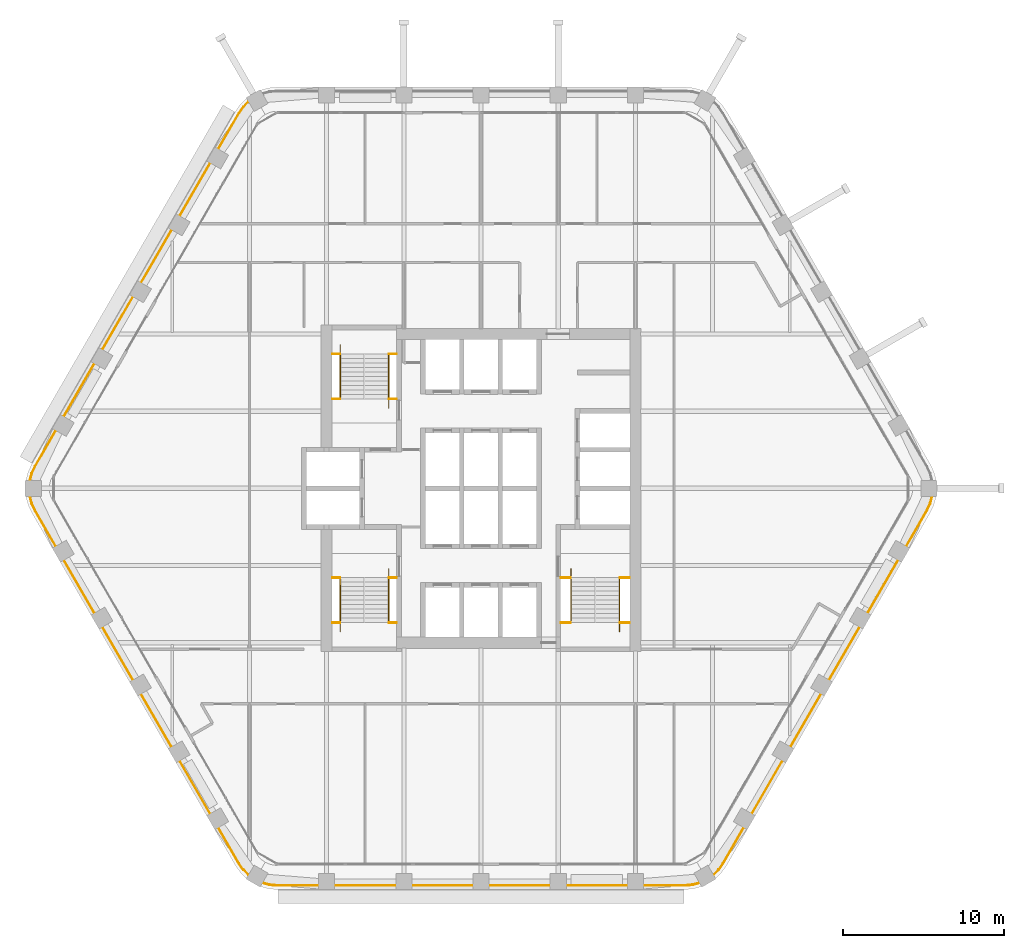
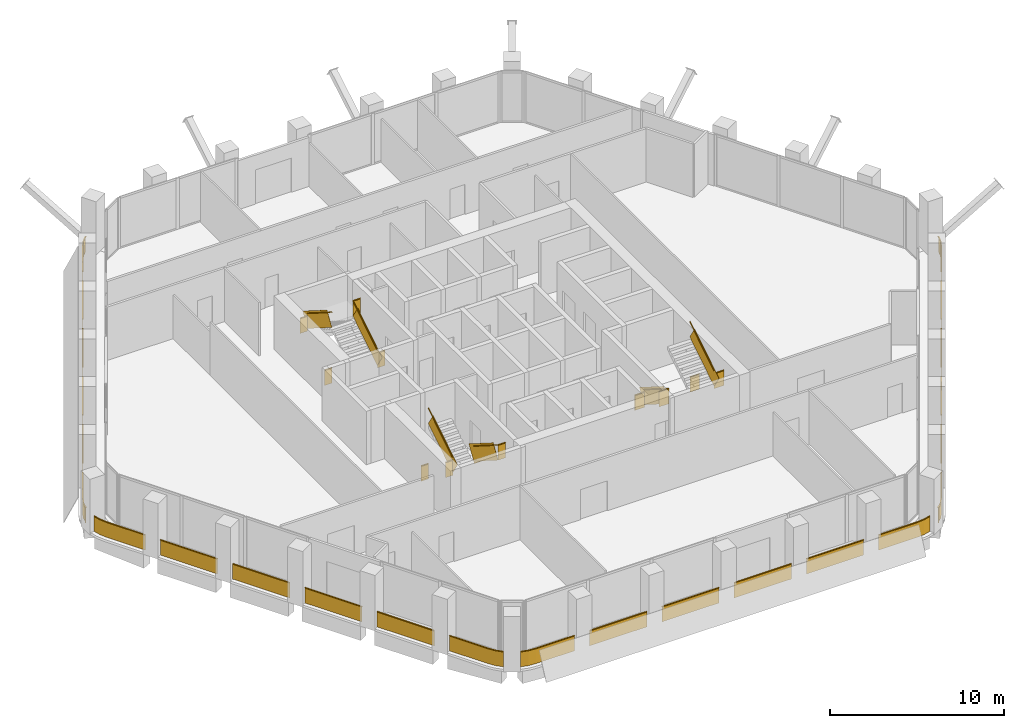
# One storey, part 15 of 16: 10 railings.
"""IFC4 building model written with IfcOpenShell, lengths in metres."""

import ifcopenshell
import ifcopenshell.guid

model = None  # the IFC model being written
_history = None  # IfcOwnerHistory: only IFC2X3 demands one
_inside = {}  # id of a spatial element -> (the spatial element, [elements in it])
_under = {}  # id of a project, library or spatial element -> (it, [spatial elements below it])
_declared = {}  # id of a project -> (the project, [libraries it declares])
_typed = {}  # id of a type object -> (the type object, [elements of that type])
_made_of = {}  # id of a material, layer set ... -> (it, [elements and type objects made of it])


def new_model(schema):
    """Start an empty IFC model of exactly this schema.

    Asked for "IFC4X3", IfcOpenShell would pick the latest addendum, in which some entities
    have other attributes; the version numbers below select the first issue.
    IFC2X3 requires an IfcOwnerHistory on every rooted entity: one is made here for all.
    """
    global model, _history
    if schema == "IFC4X3":
        model = ifcopenshell.file(schema_version=(4, 3, 0, 0))
    else:
        model = ifcopenshell.file(schema=schema)
    _inside.clear()
    _under.clear()
    _declared.clear()
    _typed.clear()
    _made_of.clear()
    _history = None
    if model.schema == "IFC2X3":
        org = make("IfcOrganization", Name="unknown")
        user = make(
            "IfcPersonAndOrganization",
            ThePerson=make("IfcPerson", FamilyName="unknown"),
            TheOrganization=org,
        )
        app = make(
            "IfcApplication",
            ApplicationDeveloper=org,
            Version="unknown",
            ApplicationFullName="unknown",
            ApplicationIdentifier="unknown",
        )
        _history = make(
            "IfcOwnerHistory",
            OwningUser=user,
            OwningApplication=app,
            ChangeAction="ADDED",
            CreationDate=0,
        )
    return model


def make(cls, **values):
    """One entity of the class cls with the attributes given. An attribute that is None is left unset."""
    return model.create_entity(
        cls, **{name: value for name, value in values.items() if value is not None}
    )


def rooted(cls, **values):
    """An entity with a GlobalId (a new one), such as an element, a storey or a relation."""
    return make(cls, GlobalId=ifcopenshell.guid.new(), OwnerHistory=_history, **values)


def si_unit(unit_type, name, prefix=None):
    """IfcSIUnit, for example si_unit("LENGTHUNIT", "METRE", prefix="MILLI")."""
    return make("IfcSIUnit", UnitType=unit_type, Prefix=prefix, Name=name)


def assignment(units):
    """IfcUnitAssignment: the units of a project."""
    return None if units is None else make("IfcUnitAssignment", Units=units)


def point(xyz):
    """IfcCartesianPoint."""
    return None if xyz is None else make("IfcCartesianPoint", Coordinates=xyz)


def direction(xyz):
    """IfcDirection."""
    return None if xyz is None else make("IfcDirection", DirectionRatios=xyz)


def frame(location, z_axis=None, x_axis=None):
    """IfcAxis2Placement3D, a coordinate frame: its origin and axes. An axis left out is left unset."""
    return make(
        "IfcAxis2Placement3D",
        Location=point(location),
        Axis=direction(z_axis),
        RefDirection=direction(x_axis),
    )


def frame_2d(location, x_axis=None):
    """IfcAxis2Placement2D, a coordinate frame in the plane: its origin and x axis."""
    return make(
        "IfcAxis2Placement2D", Location=point(location), RefDirection=direction(x_axis)
    )


def origin():
    """The frame at (0, 0, 0) with its axes left unset."""
    return frame((0.0, 0.0, 0.0))


def origin_2d():
    """The frame at (0, 0) in the plane with its x axis left unset."""
    return frame_2d((0.0, 0.0))


def place(relative_to, where):
    """IfcLocalPlacement: puts the frame where relative to a parent placement (None: the world)."""
    return make(
        "IfcLocalPlacement", PlacementRelTo=relative_to, RelativePlacement=where
    )


def context(
    kind, dimensions, precision=None, world=None, true_north=None, identifier=None
):
    """IfcGeometricRepresentationContext, for example the 3D "Model" context."""
    return make(
        "IfcGeometricRepresentationContext",
        ContextIdentifier=identifier,
        ContextType=kind,
        CoordinateSpaceDimension=dimensions,
        Precision=precision,
        WorldCoordinateSystem=world,
        TrueNorth=true_north,
    )


def subcontext(parent, identifier, kind, view, scale=None):
    """IfcGeometricRepresentationSubContext, for example "Body" below "Model"."""
    return make(
        "IfcGeometricRepresentationSubContext",
        ContextIdentifier=identifier,
        ContextType=kind,
        ParentContext=parent,
        TargetScale=scale,
        TargetView=view,
    )


def project(units=None, contexts=None):
    """IfcProject with its units and contexts."""
    return rooted(
        "IfcProject",
        Name="project",
        RepresentationContexts=contexts,
        UnitsInContext=assignment(units),
    )


def spatial(cls, under=None, at=None, **own):
    """A site, building, storey or space (cls), placed at a placement, below another one or the project."""
    s = rooted(cls, ObjectPlacement=at, **own)
    if under is not None:
        _under.setdefault(under.id(), (under, []))[1].append(s)
    return s


def profile(cls, at=None, kind="AREA", **sizes):
    """A parametric profile (cls). Its sizes go by their IFC names, for example OverallWidth=200.0."""
    return make(cls, ProfileType=kind, Position=at, **sizes)


def rectangle(**sizes):
    """IfcRectangleProfileDef."""
    return profile("IfcRectangleProfileDef", **sizes)


def extrude(swept, where, along, depth):
    """IfcExtrudedAreaSolid: the profile swept, set in the frame where, extruded along a direction by depth."""
    return make(
        "IfcExtrudedAreaSolid",
        SweptArea=swept,
        Position=where,
        ExtrudedDirection=direction(along),
        Depth=depth,
    )


def shape(context_of_items, identifier, shape_type, items):
    """IfcShapeRepresentation: the items that make up one representation, for example the "Body"."""
    return make(
        "IfcShapeRepresentation",
        ContextOfItems=context_of_items,
        RepresentationIdentifier=identifier,
        RepresentationType=shape_type,
        Items=items,
    )


def material(Name=None, Category=None):
    """IfcMaterial."""
    return make("IfcMaterial", Name=Name, Category=Category)


def made_of(thing, what):
    """Note that an element or type object is made of a material, layer set ...; save() writes the relation."""
    if what is not None:
        _made_of.setdefault(what.id(), (what, []))[1].append(thing)
    return thing


def type_object(cls, material=None, **own):
    """A type object (cls), such as IfcWallType, which elements share."""
    return made_of(rooted(cls, **own), material)


def element(
    cls,
    number,
    at=None,
    inside=None,
    cuts=None,
    type_object=None,
    material=None,
    context=None,
    identifier="Body",
    shape_type=None,
    held_by="IfcProductDefinitionShape",
    body=None,
    shapes=None,
    **own,
):
    """One element of the class cls, such as IfcWall. Its Tag is "e" and its number.

    at: its placement. inside: the storey or other place that contains it. cuts: it is an
    opening in that element (IfcRelVoidsElement). A single representation is given by context,
    identifier, shape_type and body (its items); several are given by shapes. held_by: the class
    of the entity that holds the representations. save() writes the other relations.
    """
    e = rooted(cls, Tag="e%d" % number, ObjectPlacement=at, **own)
    if body is not None:
        shapes = [shape(context, identifier, shape_type, body)]
    if shapes is not None:
        e.Representation = make(held_by, Representations=shapes)
    if inside is not None:
        _inside.setdefault(inside.id(), (inside, []))[1].append(e)
    if cuts is not None:
        rooted(
            "IfcRelVoidsElement", RelatingBuildingElement=cuts, RelatedOpeningElement=e
        )
    if type_object is not None:
        _typed.setdefault(type_object.id(), (type_object, []))[1].append(e)
    return made_of(e, material)


def aggregate(whole, parts):
    """IfcRelAggregates: a whole, such as a stair, and the parts it consists of."""
    return rooted("IfcRelAggregates", RelatingObject=whole, RelatedObjects=parts)


def save(model, path):
    """Write the relations noted so far, then the file.

    IfcRelAggregates (storeys below a building ...), IfcRelContainedInSpatialStructure (elements
    in a storey), IfcRelDefinesByType, IfcRelAssociatesMaterial and IfcRelDeclares: one each for
    every whole, place, type object, material and project.
    """
    for whole, parts in _under.values():
        aggregate(whole, parts)
    for where, things in _inside.values():
        rooted(
            "IfcRelContainedInSpatialStructure",
            RelatedElements=things,
            RelatingStructure=where,
        )
    for kind, things in _typed.values():
        rooted("IfcRelDefinesByType", RelatedObjects=things, RelatingType=kind)
    for what, things in _made_of.values():
        rooted("IfcRelAssociatesMaterial", RelatedObjects=things, RelatingMaterial=what)
    for by, libraries in _declared.values():
        rooted("IfcRelDeclares", RelatingContext=by, RelatedDefinitions=libraries)
    model.write(path)


model = new_model("IFC4")

# Units and contexts
model_context = context("Model", 3, precision=1e-05, world=origin(), true_north=direction((0.0, 1.0)))
body_context = subcontext(model_context, "Body", "Model", "MODEL_VIEW")
ifc_project = project(units=[si_unit("LENGTHUNIT", "METRE"), si_unit("AREAUNIT", "SQUARE_METRE"), si_unit("VOLUMEUNIT", "CUBIC_METRE"), si_unit("PLANEANGLEUNIT", "RADIAN"), si_unit("MASSUNIT", "GRAM", prefix="KILO")], contexts=[model_context])

# Site, building, storey
site_placement = place(None, origin())
site = spatial("IfcSite", under=ifc_project, at=site_placement, CompositionType="ELEMENT")
building_placement = place(site_placement, origin())
building = spatial("IfcBuilding", under=site, at=building_placement, Name="Kolab Exchange Tower", CompositionType="ELEMENT")
storey_placement = place(building_placement, frame((0.0, 0.0, 162.199951171875)))
storey = spatial("IfcBuildingStorey", under=building, at=storey_placement, Name="L33", CompositionType="ELEMENT", Elevation=162.199951171875)

# Railings
ifc_material_1 = material(Name="Stainless steel 316", Category="steel")
railing_type_1 = type_object("IfcRailingType", Name="GUARD 1100", PredefinedType="GUARDRAIL", material=ifc_material_1)
railing_1_placement = place(storey_placement, frame((-9.25, 5.550048828125, 0.0)))
element("IfcRailing", 1, at=railing_1_placement, inside=storey, type_object=railing_type_1, Name="Guard ST1", PredefinedType="GUARDRAIL", context=body_context, shape_type="SweptSolid", body=[
    extrude(rectangle(XDim=0.05, YDim=0.05, at=origin_2d()), frame((0.0, 0.0, 1.0751953125), z_axis=(1.0, 0.0, 0.0), x_axis=(0.0, 1.0, 0.0)), (0.0, 0.0, 1.0), 0.489990234375),
    extrude(rectangle(XDim=0.012, YDim=1.05009765625, at=frame_2d((0.0, 0.525146484375))), frame((0.0, 0.0, 0.0), z_axis=(1.0, 0.0, 0.0), x_axis=(0.0, 1.0, 0.0)), (0.0, 0.0, 1.0), 0.489990234375),
    extrude(rectangle(XDim=0.05, YDim=0.05, at=origin_2d()), frame((3.510009765625, 0.0, 1.0751953125), z_axis=(1.0, 0.0, 0.0), x_axis=(0.0, 1.0, 0.0)), (0.0, 0.0, 1.0), 0.489990234375),
    extrude(rectangle(XDim=0.012, YDim=1.05009765625, at=frame_2d((0.0, 0.525146484375))), frame((3.510009765625, 0.0, 0.0), z_axis=(1.0, 0.0, 0.0), x_axis=(0.0, 1.0, 0.0)), (0.0, 0.0, 1.0), 0.489990234375),
    extrude(rectangle(XDim=0.05, YDim=0.05, at=origin_2d()), frame((0.0, 2.800048828125, 3.025146484375), z_axis=(1.0, 0.0, 0.0), x_axis=(0.0, 1.0, 0.0)), (0.0, 0.0, 1.0), 0.489990234375),
    extrude(rectangle(XDim=0.012, YDim=1.05009765625, at=frame_2d((0.0, 0.525146484375))), frame((0.0, 2.800048828125, 1.949951171875), z_axis=(1.0, 0.0, 0.0), x_axis=(0.0, 1.0, 0.0)), (0.0, 0.0, 1.0), 0.489990234375),
    extrude(rectangle(XDim=0.05, YDim=0.05, at=origin_2d()), frame((3.510009765625, 2.800048828125, 3.025146484375), z_axis=(1.0, 0.0, 0.0), x_axis=(0.0, 1.0, 0.0)), (0.0, 0.0, 1.0), 0.489990234375),
    extrude(rectangle(XDim=0.012, YDim=1.05009765625, at=frame_2d((0.0, 0.525146484375))), frame((3.510009765625, 2.800048828125, 1.949951171875), z_axis=(1.0, 0.0, 0.0), x_axis=(0.0, 1.0, 0.0)), (0.0, 0.0, 1.0), 0.489990234375),
])
railing_2_placement = place(storey_placement, frame((-5.739990234375, 5.550048828125, 0.17724609375)))
element("IfcRailing", 2, at=railing_2_placement, inside=storey, type_object=railing_type_1, Name="Handrail guard ST1", PredefinedType="GUARDRAIL", context=body_context, shape_type="SweptSolid", body=[
    extrude(rectangle(XDim=0.05, YDim=0.05, at=origin_2d()), frame((0.0, 0.0, 1.0751953125), z_axis=(0.0, 0.844908973607, 0.534910110503), x_axis=(-1.0, 0.0, 0.0)), (0.0, 0.0, 1.0), 3.31396484375),
    extrude(rectangle(XDim=0.012, YDim=1.05009765625, at=frame_2d((0.0, 0.525146484375))), frame((0.0, 0.0, 0.0), z_axis=(0.0, 0.844908973607, 0.534910110503), x_axis=(-1.0, 0.0, 0.0)), (0.0, 0.0, 1.0), 3.31396484375),
    extrude(rectangle(XDim=0.05, YDim=0.05, at=origin_2d()), frame((-3.02001953125, 2.800048828125, 3.025390625), z_axis=(0.0, -0.844908973607, 0.534910110503), x_axis=(1.0, 0.0, 0.0)), (0.0, 0.0, 1.0), 3.31396484375),
    extrude(rectangle(XDim=0.012, YDim=1.05009765625, at=frame_2d((0.0, 0.525146484375))), frame((-3.02001953125, 2.800048828125, 1.9501953125), z_axis=(0.0, -0.844908973607, 0.534910110503), x_axis=(1.0, 0.0, 0.0)), (0.0, 0.0, 1.0), 3.31396484375),
])
railing_3_placement = place(storey_placement, frame((-9.25, -5.550048828125, 0.0)))
element("IfcRailing", 3, at=railing_3_placement, inside=storey, type_object=railing_type_1, Name="Guard ST3", PredefinedType="GUARDRAIL", context=body_context, shape_type="SweptSolid", body=[
    extrude(rectangle(XDim=0.05, YDim=0.05, at=origin_2d()), frame((0.0, 0.0, 1.0751953125), z_axis=(1.0, 0.0, 0.0), x_axis=(0.0, 1.0, 0.0)), (0.0, 0.0, 1.0), 0.489990234375),
    extrude(rectangle(XDim=0.012, YDim=1.05009765625, at=frame_2d((0.0, 0.525146484375))), frame((0.0, 0.0, 0.0), z_axis=(1.0, 0.0, 0.0), x_axis=(0.0, 1.0, 0.0)), (0.0, 0.0, 1.0), 0.489990234375),
    extrude(rectangle(XDim=0.05, YDim=0.05, at=origin_2d()), frame((3.510009765625, 0.0, 1.0751953125), z_axis=(1.0, 0.0, 0.0), x_axis=(0.0, 1.0, 0.0)), (0.0, 0.0, 1.0), 0.489990234375),
    extrude(rectangle(XDim=0.012, YDim=1.05009765625, at=frame_2d((0.0, 0.525146484375))), frame((3.510009765625, 0.0, 0.0), z_axis=(1.0, 0.0, 0.0), x_axis=(0.0, 1.0, 0.0)), (0.0, 0.0, 1.0), 0.489990234375),
    extrude(rectangle(XDim=0.05, YDim=0.05, at=origin_2d()), frame((0.0, -2.800048828125, 3.025146484375), z_axis=(1.0, 0.0, 0.0), x_axis=(0.0, 1.0, 0.0)), (0.0, 0.0, 1.0), 0.489990234375),
    extrude(rectangle(XDim=0.012, YDim=1.05009765625, at=frame_2d((0.0, 0.525146484375))), frame((0.0, -2.800048828125, 1.949951171875), z_axis=(1.0, 0.0, 0.0), x_axis=(0.0, 1.0, 0.0)), (0.0, 0.0, 1.0), 0.489990234375),
    extrude(rectangle(XDim=0.05, YDim=0.05, at=origin_2d()), frame((3.510009765625, -2.800048828125, 3.025146484375), z_axis=(1.0, 0.0, 0.0), x_axis=(0.0, 1.0, 0.0)), (0.0, 0.0, 1.0), 0.489990234375),
    extrude(rectangle(XDim=0.012, YDim=1.05009765625, at=frame_2d((0.0, 0.525146484375))), frame((3.510009765625, -2.800048828125, 1.949951171875), z_axis=(1.0, 0.0, 0.0), x_axis=(0.0, 1.0, 0.0)), (0.0, 0.0, 1.0), 0.489990234375),
])
railing_4_placement = place(storey_placement, frame((-5.739990234375, -5.550048828125, 0.17724609375)))
element("IfcRailing", 4, at=railing_4_placement, inside=storey, type_object=railing_type_1, Name="Handrail guard ST3", PredefinedType="GUARDRAIL", context=body_context, shape_type="SweptSolid", body=[
    extrude(rectangle(XDim=0.05, YDim=0.05, at=origin_2d()), frame((0.0, 0.0, 1.0751953125), z_axis=(0.0, -0.844908973607, 0.534910110503), x_axis=(1.0, 0.0, 0.0)), (0.0, 0.0, 1.0), 3.31396484375),
    extrude(rectangle(XDim=0.012, YDim=1.05009765625, at=frame_2d((0.0, 0.525146484375))), frame((0.0, 0.0, 0.0), z_axis=(0.0, -0.844908973607, 0.534910110503), x_axis=(1.0, 0.0, 0.0)), (0.0, 0.0, 1.0), 3.31396484375),
    extrude(rectangle(XDim=0.05, YDim=0.05, at=origin_2d()), frame((-3.02001953125, -2.800048828125, 3.025390625), z_axis=(0.0, 0.844908973607, 0.534910110503), x_axis=(-1.0, 0.0, 0.0)), (0.0, 0.0, 1.0), 3.31396484375),
    extrude(rectangle(XDim=0.012, YDim=1.05009765625, at=frame_2d((0.0, 0.525146484375))), frame((-3.02001953125, -2.800048828125, 1.9501953125), z_axis=(0.0, 0.844908973607, 0.534910110503), x_axis=(-1.0, 0.0, 0.0)), (0.0, 0.0, 1.0), 3.31396484375),
])
railing_5_placement = place(storey_placement, frame((4.949951171875, -5.550048828125, 0.0)))
element("IfcRailing", 5, at=railing_5_placement, inside=storey, type_object=railing_type_1, Name="Guard ST2", PredefinedType="GUARDRAIL", context=body_context, shape_type="SweptSolid", body=[
    extrude(rectangle(XDim=0.05, YDim=0.05, at=origin_2d()), frame((0.0, 0.0, 1.0751953125), z_axis=(1.0, 0.0, 0.0), x_axis=(0.0, 1.0, 0.0)), (0.0, 0.0, 1.0), 0.64013671875),
    extrude(rectangle(XDim=0.012, YDim=1.05009765625, at=frame_2d((0.0, 0.525146484375))), frame((0.0, 0.0, 0.0), z_axis=(1.0, 0.0, 0.0), x_axis=(0.0, 1.0, 0.0)), (0.0, 0.0, 1.0), 0.64013671875),
    extrude(rectangle(XDim=0.05, YDim=0.05, at=origin_2d()), frame((3.66015625, 0.0, 1.0751953125), z_axis=(1.0, 0.0, 0.0), x_axis=(0.0, 1.0, 0.0)), (0.0, 0.0, 1.0), 0.639892578125),
    extrude(rectangle(XDim=0.012, YDim=1.05009765625, at=frame_2d((0.0, 0.525146484375))), frame((3.66015625, 0.0, 0.0), z_axis=(1.0, 0.0, 0.0), x_axis=(0.0, 1.0, 0.0)), (0.0, 0.0, 1.0), 0.639892578125),
    extrude(rectangle(XDim=0.05, YDim=0.05, at=origin_2d()), frame((0.0, -2.800048828125, 3.025146484375), z_axis=(1.0, 0.0, 0.0), x_axis=(0.0, 1.0, 0.0)), (0.0, 0.0, 1.0), 0.64013671875),
    extrude(rectangle(XDim=0.012, YDim=1.05009765625, at=frame_2d((0.0, 0.525146484375))), frame((0.0, -2.800048828125, 1.949951171875), z_axis=(1.0, 0.0, 0.0), x_axis=(0.0, 1.0, 0.0)), (0.0, 0.0, 1.0), 0.64013671875),
    extrude(rectangle(XDim=0.05, YDim=0.05, at=origin_2d()), frame((3.66015625, -2.800048828125, 3.025146484375), z_axis=(1.0, 0.0, 0.0), x_axis=(0.0, 1.0, 0.0)), (0.0, 0.0, 1.0), 0.639892578125),
    extrude(rectangle(XDim=0.012, YDim=1.05009765625, at=frame_2d((0.0, 0.525146484375))), frame((3.66015625, -2.800048828125, 1.949951171875), z_axis=(1.0, 0.0, 0.0), x_axis=(0.0, 1.0, 0.0)), (0.0, 0.0, 1.0), 0.639892578125),
])
railing_6_placement = place(storey_placement, frame((5.590087890625, -5.550048828125, 0.17724609375)))
element("IfcRailing", 6, at=railing_6_placement, inside=storey, type_object=railing_type_1, Name="Handrail guard ST2", PredefinedType="GUARDRAIL", context=body_context, shape_type="SweptSolid", body=[
    extrude(rectangle(XDim=0.05, YDim=0.05, at=origin_2d()), frame((0.0, 0.0, 1.0751953125), z_axis=(0.0, -0.844908973607, 0.534910110503), x_axis=(1.0, 0.0, 0.0)), (0.0, 0.0, 1.0), 3.31396484375),
    extrude(rectangle(XDim=0.012, YDim=1.05009765625, at=frame_2d((0.0, 0.525146484375))), frame((0.0, 0.0, 0.0), z_axis=(0.0, -0.844908973607, 0.534910110503), x_axis=(1.0, 0.0, 0.0)), (0.0, 0.0, 1.0), 3.31396484375),
    extrude(rectangle(XDim=0.05, YDim=0.05, at=origin_2d()), frame((3.02001953125, -2.800048828125, 3.025390625), z_axis=(0.0, 0.844908973607, 0.534910110503), x_axis=(-1.0, 0.0, 0.0)), (0.0, 0.0, 1.0), 3.31396484375),
    extrude(rectangle(XDim=0.012, YDim=1.05009765625, at=frame_2d((0.0, 0.525146484375))), frame((3.02001953125, -2.800048828125, 1.9501953125), z_axis=(0.0, 0.844908973607, 0.534910110503), x_axis=(-1.0, 0.0, 0.0)), (0.0, 0.0, 1.0), 3.31396484375),
])
ifc_material_2 = material(Name="Steel S235", Category="steel")
railing_type_2 = type_object("IfcRailingType", Name="GUARD 1100 GLASS BALUSTRADE AND STEEL TOP RAIL", PredefinedType="GUARDRAIL", material=ifc_material_2)
railing_7_placement = place(storey_placement, frame((14.4501953125, -24.033447265625, 0.0)))
element("IfcRailing", 7, at=railing_7_placement, inside=storey, type_object=railing_type_2, Name="Guard", PredefinedType="GUARDRAIL", context=body_context, shape_type="SweptSolid", body=[
    extrude(rectangle(XDim=0.05, YDim=0.05, at=origin_2d()), frame((0.0, 0.0, 1.0751953125), z_axis=(0.70737286085, 0.706840601361, 0.0), x_axis=(-0.706840601361, 0.70737286085, 0.0)), (0.0, 0.0, 1.0), 0.458740234375),
    extrude(rectangle(XDim=0.012, YDim=1.05009765625, at=frame_2d((0.0, 0.525146484375))), frame((0.0, 0.0, 0.0), z_axis=(0.70737286085, 0.706840601361, 0.0), x_axis=(-0.706840601361, 0.70737286085, 0.0)), (0.0, 0.0, 1.0), 0.458740234375),
    extrude(rectangle(XDim=0.05, YDim=0.05, at=origin_2d()), frame((0.324462890625, 0.32421875, 1.0751953125), z_axis=(0.573599091554, 0.819136180478, 0.0), x_axis=(-0.819136180478, 0.573599091554, 0.0)), (0.0, 0.0, 1.0), 0.479248046875),
    extrude(rectangle(XDim=0.012, YDim=1.05009765625, at=frame_2d((0.0, 0.525146484375))), frame((0.324462890625, 0.32421875, 0.0), z_axis=(0.573599091554, 0.819136180478, 0.0), x_axis=(-0.819136180478, 0.573599091554, 0.0)), (0.0, 0.0, 1.0), 0.479248046875),
    extrude(rectangle(XDim=0.05, YDim=0.05, at=origin_2d()), frame((0.599365234375, 0.716796875, 1.0751953125), z_axis=(0.499952873616, 0.866052610505, 0.0), x_axis=(-0.866052610505, 0.499952873616, 0.0)), (0.0, 0.0, 1.0), 2.568115234375),
    extrude(rectangle(XDim=0.012, YDim=1.05009765625, at=frame_2d((0.0, 0.525146484375))), frame((0.599365234375, 0.716796875, 0.0), z_axis=(0.499952873616, 0.866052610505, 0.0), x_axis=(-0.866052610505, 0.499952873616, 0.0)), (0.0, 0.0, 1.0), 2.568115234375),
    extrude(rectangle(XDim=0.05, YDim=0.05, at=origin_2d()), frame((2.38330078125, 3.806884765625, 1.0751953125), z_axis=(0.499994975061, 0.866028304915, 0.0), x_axis=(-0.866028304915, 0.499994975061, 0.0)), (0.0, 0.0, 1.0), 3.7998046875),
    extrude(rectangle(XDim=0.012, YDim=1.05009765625, at=frame_2d((0.0, 0.525146484375))), frame((2.38330078125, 3.806884765625, 0.0), z_axis=(0.499994975061, 0.866028304915, 0.0), x_axis=(-0.866028304915, 0.499994975061, 0.0)), (0.0, 0.0, 1.0), 3.7998046875),
    extrude(rectangle(XDim=0.05, YDim=0.05, at=origin_2d()), frame((4.783203125, 7.9638671875, 1.0751953125), z_axis=(0.500043160704, 0.866000483506, 0.0), x_axis=(-0.866000483506, 0.500043160704, 0.0)), (0.0, 0.0, 1.0), 3.800048828125),
    extrude(rectangle(XDim=0.012, YDim=1.05009765625, at=frame_2d((0.0, 0.525146484375))), frame((4.783203125, 7.9638671875, 0.0), z_axis=(0.500043160704, 0.866000483506, 0.0), x_axis=(-0.866000483506, 0.500043160704, 0.0)), (0.0, 0.0, 1.0), 3.800048828125),
    extrude(rectangle(XDim=0.05, YDim=0.05, at=origin_2d()), frame((7.183349609375, 12.12060546875, 1.0751953125), z_axis=(0.499967155389, 0.866044365799, 0.0), x_axis=(-0.866044365799, 0.499967155389, 0.0)), (0.0, 0.0, 1.0), 3.800048828125),
    extrude(rectangle(XDim=0.012, YDim=1.05009765625, at=frame_2d((0.0, 0.525146484375))), frame((7.183349609375, 12.12060546875, 0.0), z_axis=(0.499967155389, 0.866044365799, 0.0), x_axis=(-0.866044365799, 0.499967155389, 0.0)), (0.0, 0.0, 1.0), 3.800048828125),
    extrude(rectangle(XDim=0.05, YDim=0.05, at=origin_2d()), frame((9.583251953125, 16.277587890625, 1.0751953125), z_axis=(0.500015340139, 0.86601654697, 0.0), x_axis=(-0.86601654697, 0.500015340139, 0.0)), (0.0, 0.0, 1.0), 3.80029296875),
    extrude(rectangle(XDim=0.012, YDim=1.05009765625, at=frame_2d((0.0, 0.525146484375))), frame((9.583251953125, 16.277587890625, 0.0), z_axis=(0.500015340139, 0.86601654697, 0.0), x_axis=(-0.86601654697, 0.500015340139, 0.0)), (0.0, 0.0, 1.0), 3.80029296875),
    extrude(rectangle(XDim=0.05, YDim=0.05, at=origin_2d()), frame((11.9833984375, 20.4345703125, 1.0751953125), z_axis=(0.499994038704, 0.866028845513, 0.0), x_axis=(-0.866028845513, 0.499994038704, 0.0)), (0.0, 0.0, 1.0), 2.56787109375),
    extrude(rectangle(XDim=0.012, YDim=1.05009765625, at=frame_2d((0.0, 0.525146484375))), frame((11.9833984375, 20.4345703125, 0.0), z_axis=(0.499994038704, 0.866028845513, 0.0), x_axis=(-0.866028845513, 0.499994038704, 0.0)), (0.0, 0.0, 1.0), 2.56787109375),
    extrude(rectangle(XDim=0.05, YDim=0.05, at=origin_2d()), frame((13.267333984375, 22.658447265625, 1.0751953125), z_axis=(0.422801802984, 0.906222177721, 0.0), x_axis=(-0.906222177721, 0.422801802984, 0.0)), (0.0, 0.0, 1.0), 0.479248046875),
    extrude(rectangle(XDim=0.012, YDim=1.05009765625, at=frame_2d((0.0, 0.525146484375))), frame((13.267333984375, 22.658447265625, 0.0), z_axis=(0.422801802984, 0.906222177721, 0.0), x_axis=(-0.906222177721, 0.422801802984, 0.0)), (0.0, 0.0, 1.0), 0.479248046875),
    extrude(rectangle(XDim=0.05, YDim=0.05, at=origin_2d()), frame((13.469970703125, 23.0927734375, 1.0751953125), z_axis=(0.25865627591, 0.965969425465, 0.0), x_axis=(-0.965969425465, 0.25865627591, 0.0)), (0.0, 0.0, 1.0), 0.458740234375),
    extrude(rectangle(XDim=0.012, YDim=1.05009765625, at=frame_2d((0.0, 0.525146484375))), frame((13.469970703125, 23.0927734375, 0.0), z_axis=(0.25865627591, 0.965969425465, 0.0), x_axis=(-0.965969425465, 0.25865627591, 0.0)), (0.0, 0.0, 1.0), 0.458740234375),
])
railing_8_placement = place(storey_placement, frame((-13.588623046875, -24.531005859375, 0.0)))
element("IfcRailing", 8, at=railing_8_placement, inside=storey, type_object=railing_type_2, Name="Guard", PredefinedType="GUARDRAIL", context=body_context, shape_type="SweptSolid", body=[
    extrude(rectangle(XDim=0.05, YDim=0.05, at=origin_2d()), frame((0.0, 0.0, 1.0751953125), z_axis=(0.965969425465, -0.25865627591, 0.0), x_axis=(0.25865627591, 0.965969425465, 0.0)), (0.0, 0.0, 1.0), 0.458740234375),
    extrude(rectangle(XDim=0.012, YDim=1.05009765625, at=frame_2d((0.0, 0.525146484375))), frame((0.0, 0.0, 0.0), z_axis=(0.965969425465, -0.25865627591, 0.0), x_axis=(0.25865627591, 0.965969425465, 0.0)), (0.0, 0.0, 1.0), 0.458740234375),
    extrude(rectangle(XDim=0.05, YDim=0.05, at=origin_2d()), frame((0.443115234375, -0.11865234375, 1.0751953125), z_axis=(0.996156034798, -0.087596542937, 0.0), x_axis=(0.087596542937, 0.996156034798, 0.0)), (0.0, 0.0, 1.0), 0.4794921875),
    extrude(rectangle(XDim=0.012, YDim=1.05009765625, at=frame_2d((0.0, 0.525146484375))), frame((0.443115234375, -0.11865234375, 0.0), z_axis=(0.996156034798, -0.087596542937, 0.0), x_axis=(0.087596542937, 0.996156034798, 0.0)), (0.0, 0.0, 1.0), 0.4794921875),
    extrude(rectangle(XDim=0.05, YDim=0.05, at=origin_2d()), frame((0.920654296875, -0.16064453125, 1.0751953125), z_axis=(1.0, 0.0, 0.0), x_axis=(0.0, 1.0, 0.0)), (0.0, 0.0, 1.0), 2.56787109375),
    extrude(rectangle(XDim=0.012, YDim=1.05009765625, at=frame_2d((0.0, 0.525146484375))), frame((0.920654296875, -0.16064453125, 0.0), z_axis=(1.0, 0.0, 0.0), x_axis=(0.0, 1.0, 0.0)), (0.0, 0.0, 1.0), 2.56787109375),
    extrude(rectangle(XDim=0.05, YDim=0.05, at=origin_2d()), frame((4.488525390625, -0.16064453125, 1.0751953125), z_axis=(1.0, 0.0, 0.0), x_axis=(0.0, 1.0, 0.0)), (0.0, 0.0, 1.0), 3.800048828125),
    extrude(rectangle(XDim=0.012, YDim=1.05009765625, at=frame_2d((0.0, 0.525146484375))), frame((4.488525390625, -0.16064453125, 0.0), z_axis=(1.0, 0.0, 0.0), x_axis=(0.0, 1.0, 0.0)), (0.0, 0.0, 1.0), 3.800048828125),
    extrude(rectangle(XDim=0.05, YDim=0.05, at=origin_2d()), frame((9.28857421875, -0.16064453125, 1.0751953125), z_axis=(1.0, 0.0, 0.0), x_axis=(0.0, 1.0, 0.0)), (0.0, 0.0, 1.0), 3.800048828125),
    extrude(rectangle(XDim=0.012, YDim=1.05009765625, at=frame_2d((0.0, 0.525146484375))), frame((9.28857421875, -0.16064453125, 0.0), z_axis=(1.0, 0.0, 0.0), x_axis=(0.0, 1.0, 0.0)), (0.0, 0.0, 1.0), 3.800048828125),
    extrude(rectangle(XDim=0.05, YDim=0.05, at=origin_2d()), frame((14.088623046875, -0.16064453125, 1.0751953125), z_axis=(1.0, 0.0, 0.0), x_axis=(0.0, 1.0, 0.0)), (0.0, 0.0, 1.0), 3.800048828125),
    extrude(rectangle(XDim=0.012, YDim=1.05009765625, at=frame_2d((0.0, 0.525146484375))), frame((14.088623046875, -0.16064453125, 0.0), z_axis=(1.0, 0.0, 0.0), x_axis=(0.0, 1.0, 0.0)), (0.0, 0.0, 1.0), 3.800048828125),
    extrude(rectangle(XDim=0.05, YDim=0.05, at=origin_2d()), frame((18.888671875, -0.16064453125, 1.0751953125), z_axis=(1.0, 0.0, 0.0), x_axis=(0.0, 1.0, 0.0)), (0.0, 0.0, 1.0), 3.800048828125),
    extrude(rectangle(XDim=0.012, YDim=1.05009765625, at=frame_2d((0.0, 0.525146484375))), frame((18.888671875, -0.16064453125, 0.0), z_axis=(1.0, 0.0, 0.0), x_axis=(0.0, 1.0, 0.0)), (0.0, 0.0, 1.0), 3.800048828125),
    extrude(rectangle(XDim=0.05, YDim=0.05, at=origin_2d()), frame((23.688720703125, -0.16064453125, 1.0751953125), z_axis=(1.0, 0.0, 0.0), x_axis=(0.0, 1.0, 0.0)), (0.0, 0.0, 1.0), 2.56787109375),
    extrude(rectangle(XDim=0.012, YDim=1.05009765625, at=frame_2d((0.0, 0.525146484375))), frame((23.688720703125, -0.16064453125, 0.0), z_axis=(1.0, 0.0, 0.0), x_axis=(0.0, 1.0, 0.0)), (0.0, 0.0, 1.0), 2.56787109375),
    extrude(rectangle(XDim=0.05, YDim=0.05, at=origin_2d()), frame((26.256591796875, -0.16064453125, 1.0751953125), z_axis=(0.996156034798, 0.087596542937, 0.0), x_axis=(-0.087596542937, 0.996156034798, 0.0)), (0.0, 0.0, 1.0), 0.4794921875),
    extrude(rectangle(XDim=0.012, YDim=1.05009765625, at=frame_2d((0.0, 0.525146484375))), frame((26.256591796875, -0.16064453125, 0.0), z_axis=(0.996156034798, 0.087596542937, 0.0), x_axis=(-0.087596542937, 0.996156034798, 0.0)), (0.0, 0.0, 1.0), 0.4794921875),
    extrude(rectangle(XDim=0.05, YDim=0.05, at=origin_2d()), frame((26.734130859375, -0.11865234375, 1.0751953125), z_axis=(0.965969425465, 0.25865627591, 0.0), x_axis=(-0.25865627591, 0.965969425465, 0.0)), (0.0, 0.0, 1.0), 0.458740234375),
    extrude(rectangle(XDim=0.012, YDim=1.05009765625, at=frame_2d((0.0, 0.525146484375))), frame((26.734130859375, -0.11865234375, 0.0), z_axis=(0.965969425465, 0.25865627591, 0.0), x_axis=(-0.25865627591, 0.965969425465, 0.0)), (0.0, 0.0, 1.0), 0.458740234375),
])
railing_9_placement = place(storey_placement, frame((-28.038818359375, -0.49755859375, 0.0)))
element("IfcRailing", 9, at=railing_9_placement, inside=storey, type_object=railing_type_2, Name="Guard", PredefinedType="GUARDRAIL", context=body_context, shape_type="SweptSolid", body=[
    extrude(rectangle(XDim=0.05, YDim=0.05, at=origin_2d()), frame((0.0, 0.0, 1.0751953125), z_axis=(0.25865627591, -0.965969425465, 0.0), x_axis=(0.965969425465, 0.25865627591, 0.0)), (0.0, 0.0, 1.0), 0.458740234375),
    extrude(rectangle(XDim=0.012, YDim=1.05009765625, at=frame_2d((0.0, 0.525146484375))), frame((0.0, 0.0, 0.0), z_axis=(0.25865627591, -0.965969425465, 0.0), x_axis=(0.965969425465, 0.25865627591, 0.0)), (0.0, 0.0, 1.0), 0.458740234375),
    extrude(rectangle(XDim=0.05, YDim=0.05, at=origin_2d()), frame((0.11865234375, -0.443115234375, 1.0751953125), z_axis=(0.422801802984, -0.906222177721, 0.0), x_axis=(0.906222177721, 0.422801802984, 0.0)), (0.0, 0.0, 1.0), 0.479248046875),
    extrude(rectangle(XDim=0.012, YDim=1.05009765625, at=frame_2d((0.0, 0.525146484375))), frame((0.11865234375, -0.443115234375, 0.0), z_axis=(0.422801802984, -0.906222177721, 0.0), x_axis=(0.906222177721, 0.422801802984, 0.0)), (0.0, 0.0, 1.0), 0.479248046875),
    extrude(rectangle(XDim=0.05, YDim=0.05, at=origin_2d()), frame((0.3212890625, -0.87744140625, 1.0751953125), z_axis=(0.499994038704, -0.866028845513, 0.0), x_axis=(0.866028845513, 0.499994038704, 0.0)), (0.0, 0.0, 1.0), 2.56787109375),
    extrude(rectangle(XDim=0.012, YDim=1.05009765625, at=frame_2d((0.0, 0.525146484375))), frame((0.3212890625, -0.87744140625, 0.0), z_axis=(0.499994038704, -0.866028845513, 0.0), x_axis=(0.866028845513, 0.499994038704, 0.0)), (0.0, 0.0, 1.0), 2.56787109375),
    extrude(rectangle(XDim=0.05, YDim=0.05, at=origin_2d()), frame((2.105224609375, -3.96728515625, 1.0751953125), z_axis=(0.500015340139, -0.86601654697, 0.0), x_axis=(0.86601654697, 0.500015340139, 0.0)), (0.0, 0.0, 1.0), 3.80029296875),
    extrude(rectangle(XDim=0.012, YDim=1.05009765625, at=frame_2d((0.0, 0.525146484375))), frame((2.105224609375, -3.96728515625, 0.0), z_axis=(0.500015340139, -0.86601654697, 0.0), x_axis=(0.86601654697, 0.500015340139, 0.0)), (0.0, 0.0, 1.0), 3.80029296875),
    extrude(rectangle(XDim=0.05, YDim=0.05, at=origin_2d()), frame((4.50537109375, -8.124267578125, 1.0751953125), z_axis=(0.499967155389, -0.866044365799, 0.0), x_axis=(0.866044365799, 0.499967155389, 0.0)), (0.0, 0.0, 1.0), 3.800048828125),
    extrude(rectangle(XDim=0.012, YDim=1.05009765625, at=frame_2d((0.0, 0.525146484375))), frame((4.50537109375, -8.124267578125, 0.0), z_axis=(0.499967155389, -0.866044365799, 0.0), x_axis=(0.866044365799, 0.499967155389, 0.0)), (0.0, 0.0, 1.0), 3.800048828125),
    extrude(rectangle(XDim=0.05, YDim=0.05, at=origin_2d()), frame((6.9052734375, -12.28125, 1.0751953125), z_axis=(0.500043160704, -0.866000483506, 0.0), x_axis=(0.866000483506, 0.500043160704, 0.0)), (0.0, 0.0, 1.0), 3.800048828125),
    extrude(rectangle(XDim=0.012, YDim=1.05009765625, at=frame_2d((0.0, 0.525146484375))), frame((6.9052734375, -12.28125, 0.0), z_axis=(0.500043160704, -0.866000483506, 0.0), x_axis=(0.866000483506, 0.500043160704, 0.0)), (0.0, 0.0, 1.0), 3.800048828125),
    extrude(rectangle(XDim=0.05, YDim=0.05, at=origin_2d()), frame((9.305419921875, -16.438232421875, 1.0751953125), z_axis=(0.499994975061, -0.866028304915, 0.0), x_axis=(0.866028304915, 0.499994975061, 0.0)), (0.0, 0.0, 1.0), 3.7998046875),
    extrude(rectangle(XDim=0.012, YDim=1.05009765625, at=frame_2d((0.0, 0.525146484375))), frame((9.305419921875, -16.438232421875, 0.0), z_axis=(0.499994975061, -0.866028304915, 0.0), x_axis=(0.866028304915, 0.499994975061, 0.0)), (0.0, 0.0, 1.0), 3.7998046875),
    extrude(rectangle(XDim=0.05, YDim=0.05, at=origin_2d()), frame((11.705322265625, -20.594970703125, 1.0751953125), z_axis=(0.499952873616, -0.866052610505, 0.0), x_axis=(0.866052610505, 0.499952873616, 0.0)), (0.0, 0.0, 1.0), 2.568115234375),
    extrude(rectangle(XDim=0.012, YDim=1.05009765625, at=frame_2d((0.0, 0.525146484375))), frame((11.705322265625, -20.594970703125, 0.0), z_axis=(0.499952873616, -0.866052610505, 0.0), x_axis=(0.866052610505, 0.499952873616, 0.0)), (0.0, 0.0, 1.0), 2.568115234375),
    extrude(rectangle(XDim=0.05, YDim=0.05, at=origin_2d()), frame((12.9892578125, -22.819091796875, 1.0751953125), z_axis=(0.573599091554, -0.819136180478, 0.0), x_axis=(0.819136180478, 0.573599091554, 0.0)), (0.0, 0.0, 1.0), 0.479248046875),
    extrude(rectangle(XDim=0.012, YDim=1.05009765625, at=frame_2d((0.0, 0.525146484375))), frame((12.9892578125, -22.819091796875, 0.0), z_axis=(0.573599091554, -0.819136180478, 0.0), x_axis=(0.819136180478, 0.573599091554, 0.0)), (0.0, 0.0, 1.0), 0.479248046875),
    extrude(rectangle(XDim=0.05, YDim=0.05, at=origin_2d()), frame((13.26416015625, -23.211669921875, 1.0751953125), z_axis=(0.70737286085, -0.706840601361, 0.0), x_axis=(0.706840601361, 0.70737286085, 0.0)), (0.0, 0.0, 1.0), 0.458740234375),
    extrude(rectangle(XDim=0.012, YDim=1.05009765625, at=frame_2d((0.0, 0.525146484375))), frame((13.26416015625, -23.211669921875, 0.0), z_axis=(0.70737286085, -0.706840601361, 0.0), x_axis=(0.706840601361, 0.70737286085, 0.0)), (0.0, 0.0, 1.0), 0.458740234375),
])
railing_10_placement = place(storey_placement, frame((-14.4501953125, 24.033447265625, 0.0)))
element("IfcRailing", 10, at=railing_10_placement, inside=storey, type_object=railing_type_2, Name="Guard", PredefinedType="GUARDRAIL", context=body_context, shape_type="SweptSolid", body=[
    extrude(rectangle(XDim=0.05, YDim=0.05, at=origin_2d()), frame((0.0, 0.0, 1.0751953125), z_axis=(-0.70737286085, -0.706840601361, 0.0), x_axis=(0.706840601361, -0.70737286085, 0.0)), (0.0, 0.0, 1.0), 0.458740234375),
    extrude(rectangle(XDim=0.012, YDim=1.05009765625, at=frame_2d((0.0, 0.525146484375))), frame((0.0, 0.0, 0.0), z_axis=(-0.70737286085, -0.706840601361, 0.0), x_axis=(0.706840601361, -0.70737286085, 0.0)), (0.0, 0.0, 1.0), 0.458740234375),
    extrude(rectangle(XDim=0.05, YDim=0.05, at=origin_2d()), frame((-0.324462890625, -0.32421875, 1.0751953125), z_axis=(-0.573599091554, -0.819136180478, 0.0), x_axis=(0.819136180478, -0.573599091554, 0.0)), (0.0, 0.0, 1.0), 0.479248046875),
    extrude(rectangle(XDim=0.012, YDim=1.05009765625, at=frame_2d((0.0, 0.525146484375))), frame((-0.324462890625, -0.32421875, 0.0), z_axis=(-0.573599091554, -0.819136180478, 0.0), x_axis=(0.819136180478, -0.573599091554, 0.0)), (0.0, 0.0, 1.0), 0.479248046875),
    extrude(rectangle(XDim=0.05, YDim=0.05, at=origin_2d()), frame((-0.599365234375, -0.716796875, 1.0751953125), z_axis=(-0.499952873616, -0.866052610505, 0.0), x_axis=(0.866052610505, -0.499952873616, 0.0)), (0.0, 0.0, 1.0), 2.568115234375),
    extrude(rectangle(XDim=0.012, YDim=1.05009765625, at=frame_2d((0.0, 0.525146484375))), frame((-0.599365234375, -0.716796875, 0.0), z_axis=(-0.499952873616, -0.866052610505, 0.0), x_axis=(0.866052610505, -0.499952873616, 0.0)), (0.0, 0.0, 1.0), 2.568115234375),
    extrude(rectangle(XDim=0.05, YDim=0.05, at=origin_2d()), frame((-2.38330078125, -3.806884765625, 1.0751953125), z_axis=(-0.499994975061, -0.866028304915, 0.0), x_axis=(0.866028304915, -0.499994975061, 0.0)), (0.0, 0.0, 1.0), 3.7998046875),
    extrude(rectangle(XDim=0.012, YDim=1.05009765625, at=frame_2d((0.0, 0.525146484375))), frame((-2.38330078125, -3.806884765625, 0.0), z_axis=(-0.499994975061, -0.866028304915, 0.0), x_axis=(0.866028304915, -0.499994975061, 0.0)), (0.0, 0.0, 1.0), 3.7998046875),
    extrude(rectangle(XDim=0.05, YDim=0.05, at=origin_2d()), frame((-4.783203125, -7.9638671875, 1.0751953125), z_axis=(-0.500043160704, -0.866000483506, 0.0), x_axis=(0.866000483506, -0.500043160704, 0.0)), (0.0, 0.0, 1.0), 3.800048828125),
    extrude(rectangle(XDim=0.012, YDim=1.05009765625, at=frame_2d((0.0, 0.525146484375))), frame((-4.783203125, -7.9638671875, 0.0), z_axis=(-0.500043160704, -0.866000483506, 0.0), x_axis=(0.866000483506, -0.500043160704, 0.0)), (0.0, 0.0, 1.0), 3.800048828125),
    extrude(rectangle(XDim=0.05, YDim=0.05, at=origin_2d()), frame((-7.183349609375, -12.12060546875, 1.0751953125), z_axis=(-0.499967155389, -0.866044365799, 0.0), x_axis=(0.866044365799, -0.499967155389, 0.0)), (0.0, 0.0, 1.0), 3.800048828125),
    extrude(rectangle(XDim=0.012, YDim=1.05009765625, at=frame_2d((0.0, 0.525146484375))), frame((-7.183349609375, -12.12060546875, 0.0), z_axis=(-0.499967155389, -0.866044365799, 0.0), x_axis=(0.866044365799, -0.499967155389, 0.0)), (0.0, 0.0, 1.0), 3.800048828125),
    extrude(rectangle(XDim=0.05, YDim=0.05, at=origin_2d()), frame((-9.583251953125, -16.277587890625, 1.0751953125), z_axis=(-0.500015340139, -0.86601654697, 0.0), x_axis=(0.86601654697, -0.500015340139, 0.0)), (0.0, 0.0, 1.0), 3.80029296875),
    extrude(rectangle(XDim=0.012, YDim=1.05009765625, at=frame_2d((0.0, 0.525146484375))), frame((-9.583251953125, -16.277587890625, 0.0), z_axis=(-0.500015340139, -0.86601654697, 0.0), x_axis=(0.86601654697, -0.500015340139, 0.0)), (0.0, 0.0, 1.0), 3.80029296875),
    extrude(rectangle(XDim=0.05, YDim=0.05, at=origin_2d()), frame((-11.9833984375, -20.4345703125, 1.0751953125), z_axis=(-0.499994038704, -0.866028845513, 0.0), x_axis=(0.866028845513, -0.499994038704, 0.0)), (0.0, 0.0, 1.0), 2.56787109375),
    extrude(rectangle(XDim=0.012, YDim=1.05009765625, at=frame_2d((0.0, 0.525146484375))), frame((-11.9833984375, -20.4345703125, 0.0), z_axis=(-0.499994038704, -0.866028845513, 0.0), x_axis=(0.866028845513, -0.499994038704, 0.0)), (0.0, 0.0, 1.0), 2.56787109375),
    extrude(rectangle(XDim=0.05, YDim=0.05, at=origin_2d()), frame((-13.267333984375, -22.658447265625, 1.0751953125), z_axis=(-0.422801802984, -0.906222177721, 0.0), x_axis=(0.906222177721, -0.422801802984, 0.0)), (0.0, 0.0, 1.0), 0.479248046875),
    extrude(rectangle(XDim=0.012, YDim=1.05009765625, at=frame_2d((0.0, 0.525146484375))), frame((-13.267333984375, -22.658447265625, 0.0), z_axis=(-0.422801802984, -0.906222177721, 0.0), x_axis=(0.906222177721, -0.422801802984, 0.0)), (0.0, 0.0, 1.0), 0.479248046875),
    extrude(rectangle(XDim=0.05, YDim=0.05, at=origin_2d()), frame((-13.469970703125, -23.0927734375, 1.0751953125), z_axis=(-0.25865627591, -0.965969425465, 0.0), x_axis=(0.965969425465, -0.25865627591, 0.0)), (0.0, 0.0, 1.0), 0.458740234375),
    extrude(rectangle(XDim=0.012, YDim=1.05009765625, at=frame_2d((0.0, 0.525146484375))), frame((-13.469970703125, -23.0927734375, 0.0), z_axis=(-0.25865627591, -0.965969425465, 0.0), x_axis=(0.965969425465, -0.25865627591, 0.0)), (0.0, 0.0, 1.0), 0.458740234375),
])

save(model, "model.ifc")
